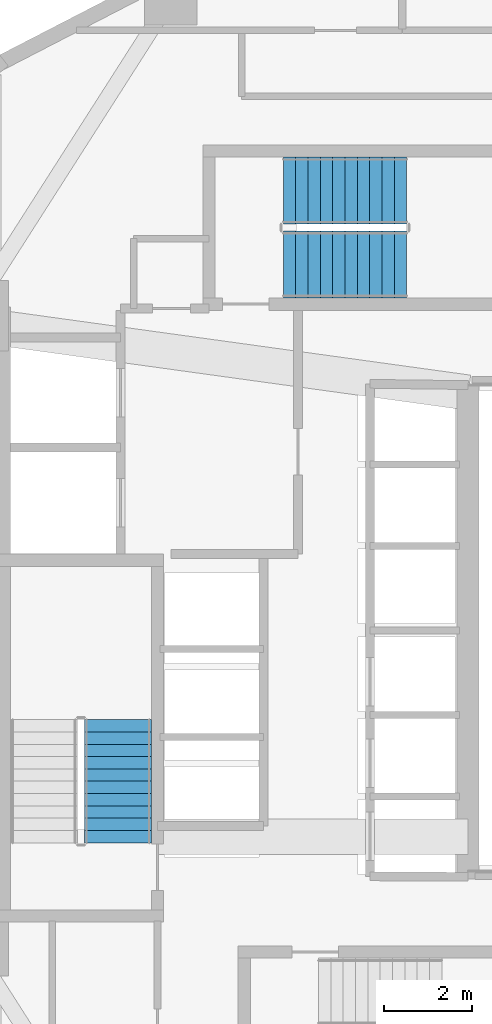
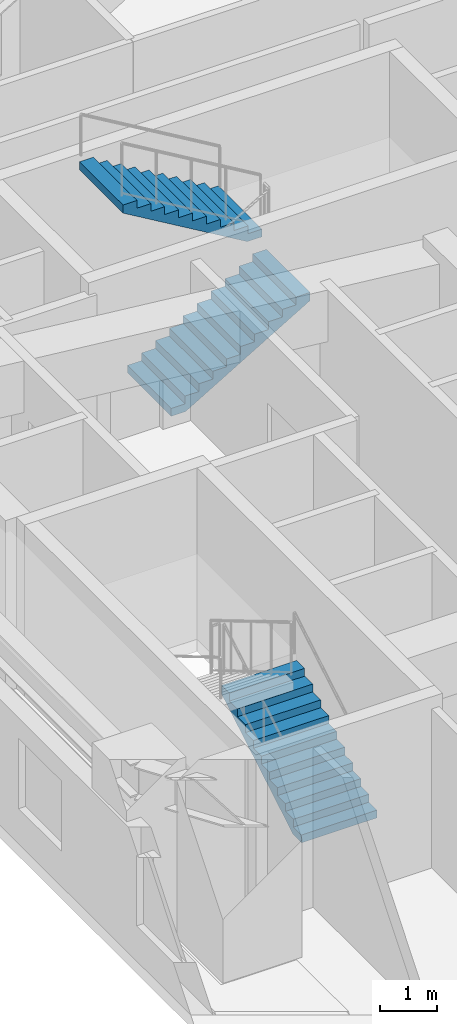
# One storey, part 6 of 7: 3 stair flights, 2 elements without a shape of their own.
"""IFC4 building model written with IfcOpenShell, lengths in metres."""

from ifc_helpers import new_model, si_unit, direction, frame, origin, place, context, subcontext, project, spatial, polyline, outline, extrude, material, type_object, element, aggregate, save


model = new_model("IFC4")

# Units and contexts
model_context = context("Model", 3, precision=1e-05, world=origin(), true_north=direction((0.0, 1.0)))
body_context = subcontext(model_context, "Body", "Model", "MODEL_VIEW")
ifc_project = project(units=[si_unit("LENGTHUNIT", "METRE"), si_unit("AREAUNIT", "SQUARE_METRE"), si_unit("VOLUMEUNIT", "CUBIC_METRE"), si_unit("PLANEANGLEUNIT", "RADIAN"), si_unit("MASSUNIT", "GRAM", prefix="KILO"), si_unit("THERMODYNAMICTEMPERATUREUNIT", "KELVIN"), si_unit("POWERUNIT", "WATT")], contexts=[model_context])

# Site, building, storey
site_placement = place(None, origin())
site = spatial("IfcSite", under=ifc_project, at=site_placement, CompositionType="ELEMENT")
building_placement = place(site_placement, origin())
building = spatial("IfcBuilding", under=site, at=building_placement, Name="Skarre Station Tower", CompositionType="ELEMENT")
storey_placement = place(building_placement, frame((0.0, 0.0, 78.10009765625)))
storey = spatial("IfcBuildingStorey", under=building, at=storey_placement, Name="L20", CompositionType="ELEMENT", Elevation=78.10009765625)

# Stair, stair flight
ifc_material = material(Name="Concrete C40/50", Category="concrete")
stair_type_1 = type_object("IfcStairType", Name="Reinforced Concrete Exit Stair ST-1", PredefinedType="HALF_TURN_STAIR", material=ifc_material)
stair_1_placement = place(storey_placement, origin())
stair_1 = element("IfcStair", 1, at=stair_1_placement, inside=storey, type_object=stair_type_1, Name="L20 Core Exit Stair ST-1", PredefinedType="HALF_TURN_STAIR")
stair_flight_type_1 = type_object("IfcStairFlightType", Name="Reinforced Concrete Stair Flight ST-1", PredefinedType="STRAIGHT", material=ifc_material)
stair_flight_1_placement = place(storey_placement, frame((19.590087890625, 19.1201171875, 0.0), z_axis=(0.0, 0.0, 1.0), x_axis=(0.0, 1.0, 0.0)))
stair_flight_1 = element("IfcStairFlight", 2, at=stair_flight_1_placement, type_object=stair_flight_type_1, Name="ST-1 flight 1", NumberOfRisers=11, NumberOfTreads=10, PredefinedType="STRAIGHT", RiserHeight=0.165909091, TreadLength=0.28, context=body_context, shape_type="SweptSolid", body=[
    extrude(outline(polyline([(0.0, 0.0), (0.0, 0.166015625), (0.280029296875, 0.166015625), (0.280029296875, 0.331787109375), (0.56005859375, 0.331787109375), (0.56005859375, 0.497802734375), (0.840087890625, 0.497802734375), (0.840087890625, 0.66357421875), (1.1201171875, 0.66357421875), (1.1201171875, 0.82958984375), (1.39990234375, 0.82958984375), (1.39990234375, 0.995361328125), (1.679931640625, 0.995361328125), (1.679931640625, 1.161376953125), (1.9599609375, 1.161376953125), (1.9599609375, 1.327392578125), (2.239990234375, 1.327392578125), (2.239990234375, 1.4931640625), (2.52001953125, 1.4931640625), (2.52001953125, 1.6591796875), (2.800048828125, 1.6591796875), (2.800048828125, 1.824951171875), (2.800048828125, 1.48486328125), (0.2939453125, 0.0), (0.0, 0.0)])), frame((0.0, 0.760009765625, 0.0), z_axis=(0.0, -1.0, 0.0), x_axis=(1.0, 0.0, 0.0)), (0.0, 0.0, 1.0), 1.52001953125),
])
aggregate(stair_1, [stair_flight_1])

# Stair, stair flights
stair_type_2 = type_object("IfcStairType", Name="Reinforced Concrete Exit Stair ST-3", PredefinedType="HALF_TURN_STAIR", material=ifc_material)
stair_2_placement = place(storey_placement, origin())
stair_2 = element("IfcStair", 3, at=stair_2_placement, inside=storey, type_object=stair_type_2, Name="L20 Core Exit Stair ST-3", PredefinedType="HALF_TURN_STAIR")
stair_flight_type_2 = type_object("IfcStairFlightType", Name="Reinforced Concrete Stair Flight ST-3", PredefinedType="STRAIGHT", material=ifc_material)
stair_flight_2_placement = place(storey_placement, frame((23.35009765625, 32.260009765625, 0.0), z_axis=(0.0, 0.0, 1.0), x_axis=(1.0, 0.0, 0.0)))
stair_flight_2 = element("IfcStairFlight", 4, at=stair_flight_2_placement, type_object=stair_flight_type_2, Name="ST-3 flight 1", NumberOfRisers=11, NumberOfTreads=10, PredefinedType="STRAIGHT", RiserHeight=0.165909091, TreadLength=0.28, context=body_context, shape_type="SweptSolid", body=[
    extrude(outline(polyline([(0.0, 0.0), (0.0, 0.166015625), (0.280029296875, 0.166015625), (0.280029296875, 0.331787109375), (0.56005859375, 0.331787109375), (0.56005859375, 0.497802734375), (0.840087890625, 0.497802734375), (0.840087890625, 0.66357421875), (1.1201171875, 0.66357421875), (1.1201171875, 0.82958984375), (1.39990234375, 0.82958984375), (1.39990234375, 0.995361328125), (1.679931640625, 0.995361328125), (1.679931640625, 1.161376953125), (1.9599609375, 1.161376953125), (1.9599609375, 1.327392578125), (2.239990234375, 1.327392578125), (2.239990234375, 1.4931640625), (2.52001953125, 1.4931640625), (2.52001953125, 1.6591796875), (2.800048828125, 1.6591796875), (2.800048828125, 1.824951171875), (2.800048828125, 1.48486328125), (0.2939453125, 0.0), (0.0, 0.0)])), frame((0.0, 0.760009765625, 0.0), z_axis=(0.0, -1.0, 0.0), x_axis=(1.0, 0.0, 0.0)), (0.0, 0.0, 1.0), 1.52001953125),
])
stair_flight_3_placement = place(storey_placement, frame((26.14990234375, 33.93994140625, 1.824951171875), z_axis=(0.0, 0.0, 1.0), x_axis=(-1.0, 0.0, 0.0)))
stair_flight_3 = element("IfcStairFlight", 5, at=stair_flight_3_placement, type_object=stair_flight_type_2, Name="ST-3 flight 2", NumberOfRisers=11, NumberOfTreads=10, PredefinedType="STRAIGHT", RiserHeight=0.165909091, TreadLength=0.28, context=body_context, shape_type="SweptSolid", body=[
    extrude(outline(polyline([(0.0, 0.0), (0.0, 0.166015625), (0.280029296875, 0.166015625), (0.280029296875, 0.331787109375), (0.56005859375, 0.331787109375), (0.56005859375, 0.497802734375), (0.840087890625, 0.497802734375), (0.840087890625, 0.66357421875), (1.1201171875, 0.66357421875), (1.1201171875, 0.82958984375), (1.39990234375, 0.82958984375), (1.39990234375, 0.995361328125), (1.679931640625, 0.995361328125), (1.679931640625, 1.161376953125), (1.9599609375, 1.161376953125), (1.9599609375, 1.327392578125), (2.239990234375, 1.327392578125), (2.239990234375, 1.4931640625), (2.52001953125, 1.4931640625), (2.52001953125, 1.6591796875), (2.800048828125, 1.6591796875), (2.800048828125, 1.824951171875), (2.800048828125, 1.48486328125), (0.2939453125, 0.0), (0.0, 0.0)])), frame((0.0, 0.760009765625, 0.0), z_axis=(0.0, -1.0, 0.0), x_axis=(1.0, 0.0, 0.0)), (0.0, 0.0, 1.0), 1.52001953125),
])
aggregate(stair_2, [stair_flight_2, stair_flight_3])

save(model, "model.ifc")
